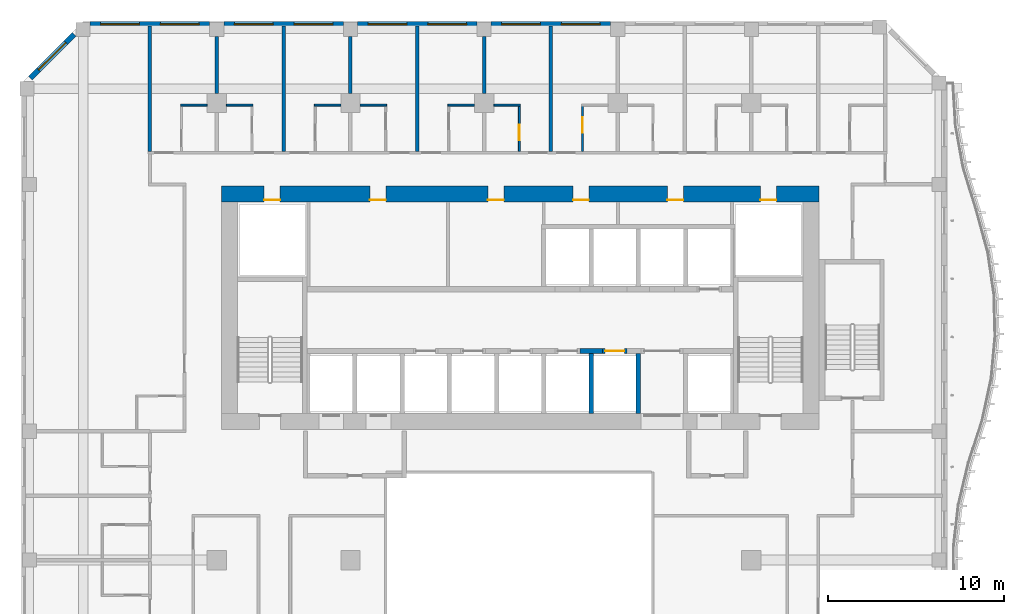
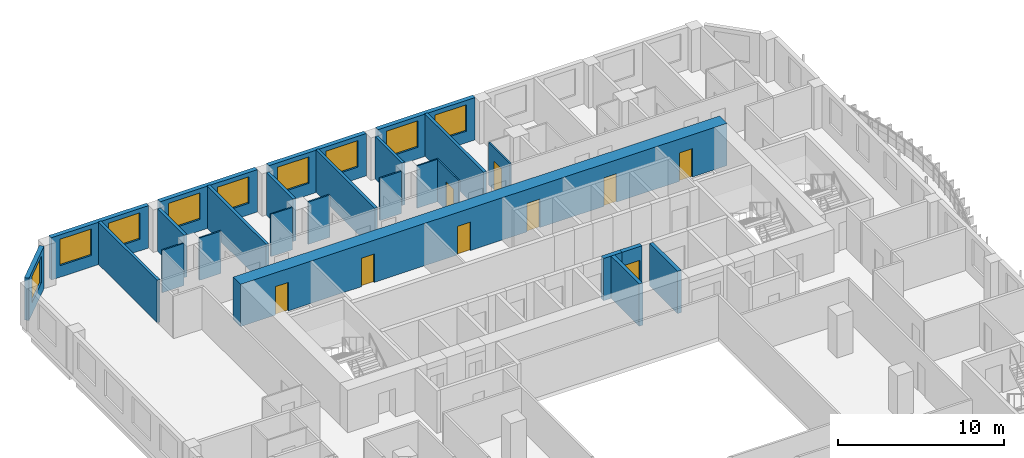
# One storey, part 8 of 21: 25 walls, 9 doors, 9 windows, 18 openings.
"""IFC4 building model written with IfcOpenShell, lengths in metres."""

import ifcopenshell
import ifcopenshell.guid

model = None  # the IFC model being written
_history = None  # IfcOwnerHistory: only IFC2X3 demands one
_inside = {}  # id of a spatial element -> (the spatial element, [elements in it])
_under = {}  # id of a project, library or spatial element -> (it, [spatial elements below it])
_declared = {}  # id of a project -> (the project, [libraries it declares])
_typed = {}  # id of a type object -> (the type object, [elements of that type])
_made_of = {}  # id of a material, layer set ... -> (it, [elements and type objects made of it])


def new_model(schema):
    """Start an empty IFC model of exactly this schema.

    Asked for "IFC4X3", IfcOpenShell would pick the latest addendum, in which some entities
    have other attributes; the version numbers below select the first issue.
    IFC2X3 requires an IfcOwnerHistory on every rooted entity: one is made here for all.
    """
    global model, _history
    if schema == "IFC4X3":
        model = ifcopenshell.file(schema_version=(4, 3, 0, 0))
    else:
        model = ifcopenshell.file(schema=schema)
    _inside.clear()
    _under.clear()
    _declared.clear()
    _typed.clear()
    _made_of.clear()
    _history = None
    if model.schema == "IFC2X3":
        org = make("IfcOrganization", Name="unknown")
        user = make(
            "IfcPersonAndOrganization",
            ThePerson=make("IfcPerson", FamilyName="unknown"),
            TheOrganization=org,
        )
        app = make(
            "IfcApplication",
            ApplicationDeveloper=org,
            Version="unknown",
            ApplicationFullName="unknown",
            ApplicationIdentifier="unknown",
        )
        _history = make(
            "IfcOwnerHistory",
            OwningUser=user,
            OwningApplication=app,
            ChangeAction="ADDED",
            CreationDate=0,
        )
    return model


def make(cls, **values):
    """One entity of the class cls with the attributes given. An attribute that is None is left unset."""
    return model.create_entity(
        cls, **{name: value for name, value in values.items() if value is not None}
    )


def rooted(cls, **values):
    """An entity with a GlobalId (a new one), such as an element, a storey or a relation."""
    return make(cls, GlobalId=ifcopenshell.guid.new(), OwnerHistory=_history, **values)


def si_unit(unit_type, name, prefix=None):
    """IfcSIUnit, for example si_unit("LENGTHUNIT", "METRE", prefix="MILLI")."""
    return make("IfcSIUnit", UnitType=unit_type, Prefix=prefix, Name=name)


def assignment(units):
    """IfcUnitAssignment: the units of a project."""
    return None if units is None else make("IfcUnitAssignment", Units=units)


def point(xyz):
    """IfcCartesianPoint."""
    return None if xyz is None else make("IfcCartesianPoint", Coordinates=xyz)


def direction(xyz):
    """IfcDirection."""
    return None if xyz is None else make("IfcDirection", DirectionRatios=xyz)


def frame(location, z_axis=None, x_axis=None):
    """IfcAxis2Placement3D, a coordinate frame: its origin and axes. An axis left out is left unset."""
    return make(
        "IfcAxis2Placement3D",
        Location=point(location),
        Axis=direction(z_axis),
        RefDirection=direction(x_axis),
    )


def frame_2d(location, x_axis=None):
    """IfcAxis2Placement2D, a coordinate frame in the plane: its origin and x axis."""
    return make(
        "IfcAxis2Placement2D", Location=point(location), RefDirection=direction(x_axis)
    )


def origin():
    """The frame at (0, 0, 0) with its axes left unset."""
    return frame((0.0, 0.0, 0.0))


def place(relative_to, where):
    """IfcLocalPlacement: puts the frame where relative to a parent placement (None: the world)."""
    return make(
        "IfcLocalPlacement", PlacementRelTo=relative_to, RelativePlacement=where
    )


def context(
    kind, dimensions, precision=None, world=None, true_north=None, identifier=None
):
    """IfcGeometricRepresentationContext, for example the 3D "Model" context."""
    return make(
        "IfcGeometricRepresentationContext",
        ContextIdentifier=identifier,
        ContextType=kind,
        CoordinateSpaceDimension=dimensions,
        Precision=precision,
        WorldCoordinateSystem=world,
        TrueNorth=true_north,
    )


def subcontext(parent, identifier, kind, view, scale=None):
    """IfcGeometricRepresentationSubContext, for example "Body" below "Model"."""
    return make(
        "IfcGeometricRepresentationSubContext",
        ContextIdentifier=identifier,
        ContextType=kind,
        ParentContext=parent,
        TargetScale=scale,
        TargetView=view,
    )


def project(units=None, contexts=None):
    """IfcProject with its units and contexts."""
    return rooted(
        "IfcProject",
        Name="project",
        RepresentationContexts=contexts,
        UnitsInContext=assignment(units),
    )


def spatial(cls, under=None, at=None, **own):
    """A site, building, storey or space (cls), placed at a placement, below another one or the project."""
    s = rooted(cls, ObjectPlacement=at, **own)
    if under is not None:
        _under.setdefault(under.id(), (under, []))[1].append(s)
    return s


def profile(cls, at=None, kind="AREA", **sizes):
    """A parametric profile (cls). Its sizes go by their IFC names, for example OverallWidth=200.0."""
    return make(cls, ProfileType=kind, Position=at, **sizes)


def rectangle(**sizes):
    """IfcRectangleProfileDef."""
    return profile("IfcRectangleProfileDef", **sizes)


def extrude(swept, where, along, depth):
    """IfcExtrudedAreaSolid: the profile swept, set in the frame where, extruded along a direction by depth."""
    return make(
        "IfcExtrudedAreaSolid",
        SweptArea=swept,
        Position=where,
        ExtrudedDirection=direction(along),
        Depth=depth,
    )


def shape(context_of_items, identifier, shape_type, items):
    """IfcShapeRepresentation: the items that make up one representation, for example the "Body"."""
    return make(
        "IfcShapeRepresentation",
        ContextOfItems=context_of_items,
        RepresentationIdentifier=identifier,
        RepresentationType=shape_type,
        Items=items,
    )


def source(mapping_origin, context_of_items, identifier, shape_type, items):
    """IfcRepresentationMap: a shape defined once, which mapped items show again and again."""
    return make(
        "IfcRepresentationMap",
        MappingOrigin=mapping_origin,
        MappedRepresentation=shape(context_of_items, identifier, shape_type, items),
    )


def transform(
    local_origin,
    x_axis=None,
    y_axis=None,
    z_axis=None,
    scale=None,
    scale2=None,
    scale3=None,
    uniform=True,
):
    """IfcCartesianTransformationOperator3D, or its non-uniform kind. x_axis, y_axis, z_axis: its Axis1, 2, 3."""
    if uniform:
        return make(
            "IfcCartesianTransformationOperator3D",
            Axis1=direction(x_axis),
            Axis2=direction(y_axis),
            LocalOrigin=point(local_origin),
            Scale=scale,
            Axis3=direction(z_axis),
        )
    return make(
        "IfcCartesianTransformationOperator3DnonUniform",
        Axis1=direction(x_axis),
        Axis2=direction(y_axis),
        LocalOrigin=point(local_origin),
        Scale=scale,
        Axis3=direction(z_axis),
        Scale2=scale2,
        Scale3=scale3,
    )


def mapped(mapping_source, mapping_target):
    """IfcMappedItem: shows the shape of a source again, moved by a transform."""
    return make(
        "IfcMappedItem", MappingSource=mapping_source, MappingTarget=mapping_target
    )


def material(Name=None, Category=None):
    """IfcMaterial."""
    return make("IfcMaterial", Name=Name, Category=Category)


def layer(
    of_material, thickness, ventilated=None, Name=None, Category=None, Priority=None
):
    """IfcMaterialLayer: one layer of a wall or slab, of a material (None: an air gap)."""
    return make(
        "IfcMaterialLayer",
        Material=of_material,
        LayerThickness=thickness,
        IsVentilated=ventilated,
        Name=Name,
        Category=Category,
        Priority=Priority,
    )


def layer_set(layers, Name=None):
    """IfcMaterialLayerSet."""
    return make("IfcMaterialLayerSet", MaterialLayers=layers, LayerSetName=Name)


def made_of(thing, what):
    """Note that an element or type object is made of a material, layer set ...; save() writes the relation."""
    if what is not None:
        _made_of.setdefault(what.id(), (what, []))[1].append(thing)
    return thing


def type_object(cls, material=None, **own):
    """A type object (cls), such as IfcWallType, which elements share."""
    return made_of(rooted(cls, **own), material)


def element(
    cls,
    number,
    at=None,
    inside=None,
    cuts=None,
    type_object=None,
    material=None,
    context=None,
    identifier="Body",
    shape_type=None,
    held_by="IfcProductDefinitionShape",
    body=None,
    shapes=None,
    **own,
):
    """One element of the class cls, such as IfcWall. Its Tag is "e" and its number.

    at: its placement. inside: the storey or other place that contains it. cuts: it is an
    opening in that element (IfcRelVoidsElement). A single representation is given by context,
    identifier, shape_type and body (its items); several are given by shapes. held_by: the class
    of the entity that holds the representations. save() writes the other relations.
    """
    e = rooted(cls, Tag="e%d" % number, ObjectPlacement=at, **own)
    if body is not None:
        shapes = [shape(context, identifier, shape_type, body)]
    if shapes is not None:
        e.Representation = make(held_by, Representations=shapes)
    if inside is not None:
        _inside.setdefault(inside.id(), (inside, []))[1].append(e)
    if cuts is not None:
        rooted(
            "IfcRelVoidsElement", RelatingBuildingElement=cuts, RelatedOpeningElement=e
        )
    if type_object is not None:
        _typed.setdefault(type_object.id(), (type_object, []))[1].append(e)
    return made_of(e, material)


def fill(opening, filler):
    """IfcRelFillsElement: the door or window that sits in an opening."""
    return rooted(
        "IfcRelFillsElement",
        RelatingOpeningElement=opening,
        RelatedBuildingElement=filler,
    )


def aggregate(whole, parts):
    """IfcRelAggregates: a whole, such as a stair, and the parts it consists of."""
    return rooted("IfcRelAggregates", RelatingObject=whole, RelatedObjects=parts)


def save(model, path):
    """Write the relations noted so far, then the file.

    IfcRelAggregates (storeys below a building ...), IfcRelContainedInSpatialStructure (elements
    in a storey), IfcRelDefinesByType, IfcRelAssociatesMaterial and IfcRelDeclares: one each for
    every whole, place, type object, material and project.
    """
    for whole, parts in _under.values():
        aggregate(whole, parts)
    for where, things in _inside.values():
        rooted(
            "IfcRelContainedInSpatialStructure",
            RelatedElements=things,
            RelatingStructure=where,
        )
    for kind, things in _typed.values():
        rooted("IfcRelDefinesByType", RelatedObjects=things, RelatingType=kind)
    for what, things in _made_of.values():
        rooted("IfcRelAssociatesMaterial", RelatedObjects=things, RelatingMaterial=what)
    for by, libraries in _declared.values():
        rooted("IfcRelDeclares", RelatingContext=by, RelatedDefinitions=libraries)
    model.write(path)


model = new_model("IFC4")

# Units and contexts
model_context = context("Model", 3, precision=1e-05, world=origin(), true_north=direction((0.0, 1.0)))
body_context = subcontext(model_context, "Body", "Model", "MODEL_VIEW")
ifc_project = project(units=[si_unit("LENGTHUNIT", "METRE"), si_unit("AREAUNIT", "SQUARE_METRE"), si_unit("VOLUMEUNIT", "CUBIC_METRE"), si_unit("PLANEANGLEUNIT", "RADIAN"), si_unit("MASSUNIT", "GRAM", prefix="KILO")], contexts=[model_context])

# Site, building, storey
site_placement = place(None, origin())
site = spatial("IfcSite", under=ifc_project, at=site_placement, CompositionType="ELEMENT")
building_placement = place(site_placement, origin())
building = spatial("IfcBuilding", under=site, at=building_placement, Name="Kilnfold Tower and Market Hall", CompositionType="ELEMENT")
storey_placement = place(building_placement, frame((0.0, 0.0, 147.300048828125)))
storey = spatial("IfcBuildingStorey", under=building, at=storey_placement, Name="L33", CompositionType="ELEMENT", Elevation=147.300048828125)

# Walls
ifc_material_1 = material(Name="Gypsum board on steel studs", Category="steel")
ifc_layer_1 = layer(ifc_material_1, 0.10009765625)
ifc_layer_set_1 = layer_set([ifc_layer_1], Name="Gypsum board on steel studs")
wall_type_1 = type_object("IfcWallType", Name="WALL PARTITION 100", PredefinedType="PARTITIONING", material=ifc_layer_set_1)
for number, where, z_axis, x_axis, name in (
    (1, (-18.217041015625, 26.501953125, 0.0), (0.0, 0.0, 1.0), (1.0, 0.0, 0.0), "Partition LY21.83"),
    (2, (-15.616943359375, 26.501953125, 0.0), (0.0, 0.0, 1.0), (1.0, 0.0, 0.0), "Partition LY21.87"),
    (3, (-10.633056640625, 26.501953125, 0.0), (0.0, 0.0, 1.0), (1.0, 0.0, 0.0), "Partition LY21.90"),
    (4, (-8.032958984375, 26.501953125, 0.0), (0.0, 0.0, 1.0), (1.0, 0.0, 0.0), "Partition LY21.94"),
    (5, (-3.050048828125, 26.501953125, 0.0), (0.0, 0.0, 1.0), (1.0, 0.0, 0.0), "Partition LY21.97"),
    (6, (-0.449951171875, 26.501953125, 0.0), (0.0, 0.0, 1.0), (1.0, 0.0, 0.0), "Partition LY21.101"),
):
    element("IfcWall", number, at=place(storey_placement, frame(where, z_axis=z_axis, x_axis=x_axis)), inside=storey, type_object=wall_type_1, Name=name, PredefinedType="PARTITIONING", context=body_context, shape_type="SweptSolid", body=[
        extrude(rectangle(XDim=1.5, YDim=0.10009765625, at=frame_2d((0.75, 0.0))), origin(), (0.0, 0.0, 1.0), 3.119873046875),
    ])

# Wall, opening, door
wall_1_placement = place(storey_placement, frame((1.0, 23.876953125, 0.0), z_axis=(0.0, 0.0, 1.0), x_axis=(0.0, 1.0, 0.0)))
wall_1 = element("IfcWall", 7, at=wall_1_placement, inside=storey, type_object=wall_type_1, Name="Partition LY21.102", PredefinedType="PARTITIONING", context=body_context, shape_type="SweptSolid", body=[
    extrude(rectangle(XDim=2.574951171875, YDim=0.10009765625, at=frame_2d((1.28759765625, 0.0))), origin(), (0.0, 0.0, 1.0), 3.119873046875),
])
opening_1_placement = place(wall_1_placement, frame((0.625, 0.0, 0.0)))
opening_1 = element("IfcOpeningElement", 8, at=opening_1_placement, cuts=wall_1, Name="Opening D3", PredefinedType="OPENING", context=body_context, shape_type="SweptSolid", body=[
    extrude(rectangle(XDim=0.89990234375, YDim=2.10009765625, at=frame_2d((0.449951171875, 1.050048828125))), frame((0.0, 0.06005859375, 0.0), z_axis=(0.0, -1.0, 0.0), x_axis=(1.0, 0.0, 0.0)), (0.0, 0.0, 1.0), 0.1201171875),
])
ifc_material_2 = material(Name="Timber veneer door leaf in steel frame", Category="steel")
door_type_1 = type_object("IfcDoorType", Name="DOOR WC 900 X2100", OperationType="NOTDEFINED", PredefinedType="DOOR", material=ifc_material_2)
door_1_placement = place(opening_1_placement, origin())
door_1 = element("IfcDoor", 9, at=door_1_placement, inside=storey, type_object=door_type_1, Name="Door D3", OperationType="SINGLE_SWING_LEFT", OverallHeight=2.10009765625, OverallWidth=0.89990234375, PredefinedType="DOOR", context=body_context, shape_type="SweptSolid", body=[
    extrude(rectangle(XDim=0.89990234375, YDim=2.10009765625, at=frame_2d((0.449951171875, 1.050048828125))), frame((0.0, 0.02490234375, 0.0), z_axis=(0.0, -1.0, 0.0), x_axis=(1.0, 0.0, 0.0)), (0.0, 0.0, 1.0), 0.050048828125),
])
fill(opening_1, door_1)

wall_2_placement = place(storey_placement, frame((4.5830078125, 23.876953125, 0.0), z_axis=(0.0, 0.0, 1.0), x_axis=(0.0, 1.0, 0.0)))
wall_2 = element("IfcWall", 10, at=wall_2_placement, inside=storey, type_object=wall_type_1, Name="Partition LY21.105", PredefinedType="PARTITIONING", context=body_context, shape_type="SweptSolid", body=[
    extrude(rectangle(XDim=2.574951171875, YDim=0.10009765625, at=frame_2d((1.28759765625, 0.0))), origin(), (0.0, 0.0, 1.0), 3.119873046875),
])
opening_2_placement = place(wall_2_placement, frame((1.050048828125, 0.0, 0.0)))
opening_2 = element("IfcOpeningElement", 11, at=opening_2_placement, cuts=wall_2, Name="Opening D3", PredefinedType="OPENING", context=body_context, shape_type="SweptSolid", body=[
    extrude(rectangle(XDim=0.89990234375, YDim=2.10009765625, at=frame_2d((0.449951171875, 1.050048828125))), frame((0.0, 0.06005859375, 0.0), z_axis=(0.0, -1.0, 0.0), x_axis=(1.0, 0.0, 0.0)), (0.0, 0.0, 1.0), 0.1201171875),
])
door_2_placement = place(opening_2_placement, origin())
door_2 = element("IfcDoor", 12, at=door_2_placement, inside=storey, type_object=door_type_1, Name="Door D3", OperationType="SINGLE_SWING_LEFT", OverallHeight=2.10009765625, OverallWidth=0.89990234375, PredefinedType="DOOR", context=body_context, shape_type="SweptSolid", body=[
    extrude(rectangle(XDim=0.89990234375, YDim=2.10009765625, at=frame_2d((0.449951171875, 1.050048828125))), frame((0.0, 0.02490234375, 0.0), z_axis=(0.0, -1.0, 0.0), x_axis=(1.0, 0.0, 0.0)), (0.0, 0.0, 1.0), 0.050048828125),
])
fill(opening_2, door_2)

# Walls
ifc_material_3 = material(Name="Gypsum board on steel studs", Category="steel")
ifc_layer_2 = layer(ifc_material_3, 0.199951171875)
ifc_layer_set_2 = layer_set([ifc_layer_2], Name="Gypsum board on steel studs")
wall_type_2 = type_object("IfcWallType", Name="WALL PARTY 200", PredefinedType="PARTITIONING", material=ifc_layer_set_2)
wall_3_placement = place(storey_placement, frame((-19.958984375, 23.876953125, 0.0), z_axis=(0.0, 0.0, 1.0), x_axis=(0.0, 1.0, 0.0)))
element("IfcWall", 13, at=wall_3_placement, inside=storey, type_object=wall_type_2, Name="Partition LY21.82", PredefinedType="PARTITIONING", context=body_context, shape_type="SweptSolid", body=[
    extrude(rectangle(XDim=7.123046875, YDim=0.199951171875, at=frame_2d((3.5615234375, 0.0))), origin(), (0.0, 0.0, 1.0), 3.119873046875),
])
wall_4_placement = place(storey_placement, frame((-16.1669921875, 27.175048828125, 0.0), z_axis=(0.0, 0.0, 1.0), x_axis=(0.0, 1.0, 0.0)))
element("IfcWall", 14, at=wall_4_placement, inside=storey, type_object=wall_type_2, Name="Partition LY21.85", PredefinedType="PARTITIONING", context=body_context, shape_type="SweptSolid", body=[
    extrude(rectangle(XDim=3.224853515625, YDim=0.199951171875, at=frame_2d((1.6123046875, 0.0))), origin(), (0.0, 0.0, 1.0), 3.119873046875),
])
wall_5_placement = place(storey_placement, frame((-12.375, 23.876953125, 0.0), z_axis=(0.0, 0.0, 1.0), x_axis=(0.0, 1.0, 0.0)))
element("IfcWall", 15, at=wall_5_placement, inside=storey, type_object=wall_type_2, Name="Partition LY21.89", PredefinedType="PARTITIONING", context=body_context, shape_type="SweptSolid", body=[
    extrude(rectangle(XDim=7.123046875, YDim=0.199951171875, at=frame_2d((3.5615234375, 0.0))), origin(), (0.0, 0.0, 1.0), 3.119873046875),
])
wall_6_placement = place(storey_placement, frame((-8.5830078125, 27.175048828125, 0.0), z_axis=(0.0, 0.0, 1.0), x_axis=(0.0, 1.0, 0.0)))
element("IfcWall", 16, at=wall_6_placement, inside=storey, type_object=wall_type_2, Name="Partition LY21.92", PredefinedType="PARTITIONING", context=body_context, shape_type="SweptSolid", body=[
    extrude(rectangle(XDim=3.224853515625, YDim=0.199951171875, at=frame_2d((1.6123046875, 0.0))), origin(), (0.0, 0.0, 1.0), 3.119873046875),
])
wall_7_placement = place(storey_placement, frame((-4.7919921875, 23.876953125, 0.0), z_axis=(0.0, 0.0, 1.0), x_axis=(0.0, 1.0, 0.0)))
element("IfcWall", 17, at=wall_7_placement, inside=storey, type_object=wall_type_2, Name="Partition LY21.96", PredefinedType="PARTITIONING", context=body_context, shape_type="SweptSolid", body=[
    extrude(rectangle(XDim=7.123046875, YDim=0.199951171875, at=frame_2d((3.5615234375, 0.0))), origin(), (0.0, 0.0, 1.0), 3.119873046875),
])
wall_8_placement = place(storey_placement, frame((-1.0, 27.175048828125, 0.0), z_axis=(0.0, 0.0, 1.0), x_axis=(0.0, 1.0, 0.0)))
element("IfcWall", 18, at=wall_8_placement, inside=storey, type_object=wall_type_2, Name="Partition LY21.99", PredefinedType="PARTITIONING", context=body_context, shape_type="SweptSolid", body=[
    extrude(rectangle(XDim=3.224853515625, YDim=0.199951171875, at=frame_2d((1.6123046875, 0.0))), origin(), (0.0, 0.0, 1.0), 3.119873046875),
])
wall_9_placement = place(storey_placement, frame((2.7919921875, 23.876953125, 0.0), z_axis=(0.0, 0.0, 1.0), x_axis=(0.0, 1.0, 0.0)))
element("IfcWall", 19, at=wall_9_placement, inside=storey, type_object=wall_type_2, Name="Partition LY21.103", PredefinedType="PARTITIONING", context=body_context, shape_type="SweptSolid", body=[
    extrude(rectangle(XDim=7.123046875, YDim=0.199951171875, at=frame_2d((3.5615234375, 0.0))), origin(), (0.0, 0.0, 1.0), 3.119873046875),
])

# Wall, openings, doors
ifc_material_4 = material(Name="Concrete C70", Category="concrete")
ifc_layer_3 = layer(ifc_material_4, 0.89990234375)
ifc_layer_set_3 = layer_set([ifc_layer_3], Name="Concrete C70")
wall_type_3 = type_object("IfcWallType", Name="CORE WALL 900 C70", PredefinedType="SHEAR", material=ifc_layer_set_3)
shared_shape_1 = source(origin(), body_context, "Body", "SweptSolid", [
    extrude(rectangle(XDim=33.89990234375, YDim=0.89990234375, at=frame_2d((16.949951171875, 0.0))), origin(), (0.0, 0.0, 1.0), 3.119873046875),
])
wall_10_placement = place(storey_placement, frame((-15.89990234375, 21.449951171875, 0.0), z_axis=(0.0, 0.0, 1.0), x_axis=(1.0, 0.0, 0.0)))
wall_10 = element("IfcWall", 20, at=wall_10_placement, inside=storey, type_object=wall_type_3, Name="Core outer wall north", PredefinedType="SHEAR", context=body_context, shape_type="MappedRepresentation", body=[
    mapped(shared_shape_1, transform((0.0, 0.0, 0.0))),
])
opening_3_placement = place(wall_10_placement, frame((8.419921875, 0.0, 0.0)))
opening_3 = element("IfcOpeningElement", 21, at=opening_3_placement, cuts=wall_10, Name="Opening KD1", PredefinedType="OPENING", context=body_context, shape_type="SweptSolid", body=[
    extrude(rectangle(XDim=0.89990234375, YDim=2.10009765625, at=frame_2d((0.449951171875, 1.050048828125))), frame((0.0, 0.4599609375, 0.0), z_axis=(0.0, -1.0, 0.0), x_axis=(1.0, 0.0, 0.0)), (0.0, 0.0, 1.0), 0.919921875),
])
opening_4_placement = place(wall_10_placement, frame((15.119873046875, 0.0, 0.0)))
opening_4 = element("IfcOpeningElement", 22, at=opening_4_placement, cuts=wall_10, Name="Opening KD1", PredefinedType="OPENING", context=body_context, shape_type="SweptSolid", body=[
    extrude(rectangle(XDim=0.89990234375, YDim=2.10009765625, at=frame_2d((0.449951171875, 1.050048828125))), frame((0.0, 0.4599609375, 0.0), z_axis=(0.0, -1.0, 0.0), x_axis=(1.0, 0.0, 0.0)), (0.0, 0.0, 1.0), 0.919921875),
])
opening_5_placement = place(wall_10_placement, frame((19.94384765625, 0.0, 0.0)))
opening_5 = element("IfcOpeningElement", 23, at=opening_5_placement, cuts=wall_10, Name="Opening KD1", PredefinedType="OPENING", context=body_context, shape_type="SweptSolid", body=[
    extrude(rectangle(XDim=0.89990234375, YDim=2.10009765625, at=frame_2d((0.449951171875, 1.050048828125))), frame((0.0, 0.4599609375, 0.0), z_axis=(0.0, -1.0, 0.0), x_axis=(1.0, 0.0, 0.0)), (0.0, 0.0, 1.0), 0.919921875),
])
opening_6_placement = place(wall_10_placement, frame((25.3037109375, 0.0, 0.0)))
opening_6 = element("IfcOpeningElement", 24, at=opening_6_placement, cuts=wall_10, Name="Opening KD1", PredefinedType="OPENING", context=body_context, shape_type="SweptSolid", body=[
    extrude(rectangle(XDim=0.89990234375, YDim=2.10009765625, at=frame_2d((0.449951171875, 1.050048828125))), frame((0.0, 0.4599609375, 0.0), z_axis=(0.0, -1.0, 0.0), x_axis=(1.0, 0.0, 0.0)), (0.0, 0.0, 1.0), 0.919921875),
])
opening_7_placement = place(wall_10_placement, frame((2.425048828125, 0.0, 0.0)))
opening_7 = element("IfcOpeningElement", 25, at=opening_7_placement, cuts=wall_10, Name="Opening KD1", PredefinedType="OPENING", context=body_context, shape_type="SweptSolid", body=[
    extrude(rectangle(XDim=0.89990234375, YDim=2.10009765625, at=frame_2d((0.449951171875, 1.050048828125))), frame((0.0, 0.4599609375, 0.0), z_axis=(0.0, -1.0, 0.0), x_axis=(1.0, 0.0, 0.0)), (0.0, 0.0, 1.0), 0.919921875),
])
opening_8_placement = place(wall_10_placement, frame((30.574951171875, 0.0, 0.0)))
opening_8 = element("IfcOpeningElement", 26, at=opening_8_placement, cuts=wall_10, Name="Opening KD1", PredefinedType="OPENING", context=body_context, shape_type="SweptSolid", body=[
    extrude(rectangle(XDim=0.89990234375, YDim=2.10009765625, at=frame_2d((0.449951171875, 1.050048828125))), frame((0.0, 0.4599609375, 0.0), z_axis=(0.0, -1.0, 0.0), x_axis=(1.0, 0.0, 0.0)), (0.0, 0.0, 1.0), 0.919921875),
])
ifc_material_5 = material(Name="Steel door set with fire-resisting leaf", Category="steel")
door_type_2 = type_object("IfcDoorType", Name="SERVICE DOOR 900X2100", OperationType="NOTDEFINED", PredefinedType="DOOR", material=ifc_material_5)
door_3_placement = place(opening_3_placement, origin())
door_3 = element("IfcDoor", 27, at=door_3_placement, inside=storey, type_object=door_type_2, Name="Core service door", OperationType="SINGLE_SWING_RIGHT", OverallHeight=2.10009765625, OverallWidth=0.89990234375, PredefinedType="DOOR", context=body_context, shape_type="SweptSolid", body=[
    extrude(rectangle(XDim=0.89990234375, YDim=2.10009765625, at=frame_2d((0.449951171875, 1.050048828125))), frame((0.0, -0.30517578125, 0.0), z_axis=(0.0, -1.0, 0.0), x_axis=(1.0, 0.0, 0.0)), (0.0, 0.0, 1.0), 0.050048828125),
])
fill(opening_3, door_3)
door_4_placement = place(opening_4_placement, origin())
door_4 = element("IfcDoor", 28, at=door_4_placement, inside=storey, type_object=door_type_2, Name="Core service door", OperationType="SINGLE_SWING_LEFT", OverallHeight=2.10009765625, OverallWidth=0.89990234375, PredefinedType="DOOR", context=body_context, shape_type="SweptSolid", body=[
    extrude(rectangle(XDim=0.89990234375, YDim=2.10009765625, at=frame_2d((0.449951171875, 1.050048828125))), frame((0.0, -0.30517578125, 0.0), z_axis=(0.0, -1.0, 0.0), x_axis=(1.0, 0.0, 0.0)), (0.0, 0.0, 1.0), 0.050048828125),
])
fill(opening_4, door_4)
door_5_placement = place(opening_5_placement, origin())
door_5 = element("IfcDoor", 29, at=door_5_placement, inside=storey, type_object=door_type_2, Name="Core service door", OperationType="SINGLE_SWING_RIGHT", OverallHeight=2.10009765625, OverallWidth=0.89990234375, PredefinedType="DOOR", context=body_context, shape_type="SweptSolid", body=[
    extrude(rectangle(XDim=0.89990234375, YDim=2.10009765625, at=frame_2d((0.449951171875, 1.050048828125))), frame((0.0, -0.30517578125, 0.0), z_axis=(0.0, -1.0, 0.0), x_axis=(1.0, 0.0, 0.0)), (0.0, 0.0, 1.0), 0.050048828125),
])
fill(opening_5, door_5)
door_6_placement = place(opening_6_placement, origin())
door_6 = element("IfcDoor", 30, at=door_6_placement, inside=storey, type_object=door_type_2, Name="Core service door", OperationType="SINGLE_SWING_LEFT", OverallHeight=2.10009765625, OverallWidth=0.89990234375, PredefinedType="DOOR", context=body_context, shape_type="SweptSolid", body=[
    extrude(rectangle(XDim=0.89990234375, YDim=2.10009765625, at=frame_2d((0.449951171875, 1.050048828125))), frame((0.0, -0.30517578125, 0.0), z_axis=(0.0, -1.0, 0.0), x_axis=(1.0, 0.0, 0.0)), (0.0, 0.0, 1.0), 0.050048828125),
])
fill(opening_6, door_6)
door_7_placement = place(opening_7_placement, origin())
door_7 = element("IfcDoor", 31, at=door_7_placement, inside=storey, type_object=door_type_2, Name="Electrical riser access door", OperationType="SINGLE_SWING_RIGHT", OverallHeight=2.10009765625, OverallWidth=0.89990234375, PredefinedType="DOOR", context=body_context, shape_type="SweptSolid", body=[
    extrude(rectangle(XDim=0.89990234375, YDim=2.10009765625, at=frame_2d((0.449951171875, 1.050048828125))), frame((0.0, -0.30517578125, 0.0), z_axis=(0.0, -1.0, 0.0), x_axis=(1.0, 0.0, 0.0)), (0.0, 0.0, 1.0), 0.050048828125),
])
fill(opening_7, door_7)
door_8_placement = place(opening_8_placement, origin())
door_8 = element("IfcDoor", 32, at=door_8_placement, inside=storey, type_object=door_type_2, Name="Mechanical riser access door", OperationType="SINGLE_SWING_LEFT", OverallHeight=2.10009765625, OverallWidth=0.89990234375, PredefinedType="DOOR", context=body_context, shape_type="SweptSolid", body=[
    extrude(rectangle(XDim=0.89990234375, YDim=2.10009765625, at=frame_2d((0.449951171875, 1.050048828125))), frame((0.0, -0.30517578125, 0.0), z_axis=(0.0, -1.0, 0.0), x_axis=(1.0, 0.0, 0.0)), (0.0, 0.0, 1.0), 0.050048828125),
])
fill(opening_8, door_8)

# Wall
ifc_material_6 = material(Name="Concrete C70", Category="concrete")
ifc_layer_4 = layer(ifc_material_6, 0.300048828125)
ifc_layer_set_4 = layer_set([ifc_layer_4], Name="Concrete C70")
wall_type_4 = type_object("IfcWallType", Name="CORE WALL 300 C70", PredefinedType="SHEAR", material=ifc_layer_set_4)
shared_shape_2 = source(origin(), body_context, "Body", "SweptSolid", [
    extrude(rectangle(XDim=1.280029296875, YDim=0.300048828125, at=frame_2d((0.64013671875, 0.0))), origin(), (0.0, 0.0, 1.0), 3.119873046875),
])
wall_11_placement = place(storey_placement, frame((4.429931640625, 12.550048828125, 0.0), z_axis=(0.0, 0.0, 1.0), x_axis=(1.0, 0.0, 0.0)))
element("IfcWall", 33, at=wall_11_placement, inside=storey, type_object=wall_type_4, Name="Core spine wall", PredefinedType="SHEAR", context=body_context, shape_type="MappedRepresentation", body=[
    mapped(shared_shape_2, transform((0.0, 0.0, 0.0))),
])

# Wall, openings, windows
ifc_material_7 = material(Name="Precast concrete C50/60", Category="concrete")
ifc_layer_5 = layer(ifc_material_7, 0.300048828125)
ifc_layer_set_5 = layer_set([ifc_layer_5], Name="Precast concrete C50/60")
wall_type_5 = type_object("IfcWallType", Name="PRECAST WALL 300", PredefinedType="SOLIDWALL", material=ifc_layer_set_5)
shared_shape_3 = source(origin(), body_context, "Body", "SweptSolid", [
    extrude(rectangle(XDim=6.783447265625, YDim=0.300048828125, at=frame_2d((3.3916015625, 0.0))), origin(), (0.0, 0.0, 1.0), 3.119873046875),
])
wall_12_placement = place(storey_placement, frame((6.183349609375, 31.10009765625, 0.0), z_axis=(0.0, 0.0, 1.0), x_axis=(-1.0, 0.0, 0.0)))
wall_12 = element("IfcWall", 34, at=wall_12_placement, inside=storey, type_object=wall_type_5, Name="External wall L33 N", PredefinedType="SOLIDWALL", context=body_context, shape_type="MappedRepresentation", body=[
    mapped(shared_shape_3, transform((0.0, 0.0, 0.0))),
])
opening_9_placement = place(wall_12_placement, frame((0.595703125, 0.0, 0.85009765625)))
opening_9 = element("IfcOpeningElement", 35, at=opening_9_placement, cuts=wall_12, Name="Opening W2", PredefinedType="OPENING", context=body_context, shape_type="SweptSolid", body=[
    extrude(rectangle(XDim=2.199951171875, YDim=1.949951171875, at=frame_2d((1.10009765625, 0.97509765625))), frame((0.0, 0.16015625, 0.0), z_axis=(0.0, -1.0, 0.0), x_axis=(1.0, 0.0, 0.0)), (0.0, 0.0, 1.0), 0.320068359375),
])
opening_10_placement = place(wall_12_placement, frame((3.987548828125, 0.0, 0.85009765625)))
opening_10 = element("IfcOpeningElement", 36, at=opening_10_placement, cuts=wall_12, Name="Opening W2", PredefinedType="OPENING", context=body_context, shape_type="SweptSolid", body=[
    extrude(rectangle(XDim=2.199951171875, YDim=1.949951171875, at=frame_2d((1.10009765625, 0.97509765625))), frame((0.0, 0.16015625, 0.0), z_axis=(0.0, -1.0, 0.0), x_axis=(1.0, 0.0, 0.0)), (0.0, 0.0, 1.0), 0.320068359375),
])
ifc_material_8 = material(Name="Aluminium frame and double glazing", Category="aluminium")
window_type = type_object("IfcWindowType", Name="WINDOW W2 2200X1950", PartitioningType="SINGLE_PANEL", PredefinedType="WINDOW", material=ifc_material_8)
window_1_placement = place(opening_9_placement, origin())
window_1 = element("IfcWindow", 37, at=window_1_placement, inside=storey, type_object=window_type, Name="Window W2 L33 N-1", OverallHeight=1.949951171875, OverallWidth=2.199951171875, PartitioningType="SINGLE_PANEL", PredefinedType="WINDOW", context=body_context, shape_type="SweptSolid", body=[
    extrude(rectangle(XDim=2.199951171875, YDim=1.949951171875, at=frame_2d((1.10009765625, 0.97509765625))), frame((0.0, 0.030029296875, 0.0), z_axis=(0.0, -1.0, 0.0), x_axis=(1.0, 0.0, 0.0)), (0.0, 0.0, 1.0), 0.06005859375),
])
fill(opening_9, window_1)
window_2_placement = place(opening_10_placement, origin())
window_2 = element("IfcWindow", 38, at=window_2_placement, inside=storey, type_object=window_type, Name="Window W2 L33 N-2", OverallHeight=1.949951171875, OverallWidth=2.199951171875, PartitioningType="SINGLE_PANEL", PredefinedType="WINDOW", context=body_context, shape_type="SweptSolid", body=[
    extrude(rectangle(XDim=2.199951171875, YDim=1.949951171875, at=frame_2d((1.10009765625, 0.97509765625))), frame((0.0, 0.030029296875, 0.0), z_axis=(0.0, -1.0, 0.0), x_axis=(1.0, 0.0, 0.0)), (0.0, 0.0, 1.0), 0.06005859375),
])
fill(opening_10, window_2)

wall_13_placement = place(storey_placement, frame((-1.39990234375, 31.10009765625, 0.0), z_axis=(0.0, 0.0, 1.0), x_axis=(-1.0, 0.0, 0.0)))
wall_13 = element("IfcWall", 39, at=wall_13_placement, inside=storey, type_object=wall_type_5, Name="External wall L33 N", PredefinedType="SOLIDWALL", context=body_context, shape_type="MappedRepresentation", body=[
    mapped(shared_shape_3, transform((0.0, 0.0, 0.0))),
])
opening_11_placement = place(wall_13_placement, frame((0.595703125, 0.0, 0.85009765625)))
opening_11 = element("IfcOpeningElement", 40, at=opening_11_placement, cuts=wall_13, Name="Opening W2", PredefinedType="OPENING", context=body_context, shape_type="SweptSolid", body=[
    extrude(rectangle(XDim=2.199951171875, YDim=1.949951171875, at=frame_2d((1.10009765625, 0.97509765625))), frame((0.0, 0.16015625, 0.0), z_axis=(0.0, -1.0, 0.0), x_axis=(1.0, 0.0, 0.0)), (0.0, 0.0, 1.0), 0.320068359375),
])
opening_12_placement = place(wall_13_placement, frame((3.987548828125, 0.0, 0.85009765625)))
opening_12 = element("IfcOpeningElement", 41, at=opening_12_placement, cuts=wall_13, Name="Opening W2", PredefinedType="OPENING", context=body_context, shape_type="SweptSolid", body=[
    extrude(rectangle(XDim=2.199951171875, YDim=1.949951171875, at=frame_2d((1.10009765625, 0.97509765625))), frame((0.0, 0.16015625, 0.0), z_axis=(0.0, -1.0, 0.0), x_axis=(1.0, 0.0, 0.0)), (0.0, 0.0, 1.0), 0.320068359375),
])
window_3_placement = place(opening_11_placement, origin())
window_3 = element("IfcWindow", 42, at=window_3_placement, inside=storey, type_object=window_type, Name="Window W2 L33 N-1", OverallHeight=1.949951171875, OverallWidth=2.199951171875, PartitioningType="SINGLE_PANEL", PredefinedType="WINDOW", context=body_context, shape_type="SweptSolid", body=[
    extrude(rectangle(XDim=2.199951171875, YDim=1.949951171875, at=frame_2d((1.10009765625, 0.97509765625))), frame((0.0, 0.030029296875, 0.0), z_axis=(0.0, -1.0, 0.0), x_axis=(1.0, 0.0, 0.0)), (0.0, 0.0, 1.0), 0.06005859375),
])
fill(opening_11, window_3)
window_4_placement = place(opening_12_placement, origin())
window_4 = element("IfcWindow", 43, at=window_4_placement, inside=storey, type_object=window_type, Name="Window W2 L33 N-2", OverallHeight=1.949951171875, OverallWidth=2.199951171875, PartitioningType="SINGLE_PANEL", PredefinedType="WINDOW", context=body_context, shape_type="SweptSolid", body=[
    extrude(rectangle(XDim=2.199951171875, YDim=1.949951171875, at=frame_2d((1.10009765625, 0.97509765625))), frame((0.0, 0.030029296875, 0.0), z_axis=(0.0, -1.0, 0.0), x_axis=(1.0, 0.0, 0.0)), (0.0, 0.0, 1.0), 0.06005859375),
])
fill(opening_12, window_4)

wall_14_placement = place(storey_placement, frame((-16.566650390625, 31.10009765625, 0.0), z_axis=(0.0, 0.0, 1.0), x_axis=(-1.0, 0.0, 0.0)))
wall_14 = element("IfcWall", 44, at=wall_14_placement, inside=storey, type_object=wall_type_5, Name="External wall L33 N", PredefinedType="SOLIDWALL", context=body_context, shape_type="MappedRepresentation", body=[
    mapped(shared_shape_3, transform((0.0, 0.0, 0.0))),
])
opening_13_placement = place(wall_14_placement, frame((0.595703125, 0.0, 0.85009765625)))
opening_13 = element("IfcOpeningElement", 45, at=opening_13_placement, cuts=wall_14, Name="Opening W2", PredefinedType="OPENING", context=body_context, shape_type="SweptSolid", body=[
    extrude(rectangle(XDim=2.199951171875, YDim=1.949951171875, at=frame_2d((1.10009765625, 0.97509765625))), frame((0.0, 0.16015625, 0.0), z_axis=(0.0, -1.0, 0.0), x_axis=(1.0, 0.0, 0.0)), (0.0, 0.0, 1.0), 0.320068359375),
])
opening_14_placement = place(wall_14_placement, frame((3.987548828125, 0.0, 0.85009765625)))
opening_14 = element("IfcOpeningElement", 46, at=opening_14_placement, cuts=wall_14, Name="Opening W2", PredefinedType="OPENING", context=body_context, shape_type="SweptSolid", body=[
    extrude(rectangle(XDim=2.199951171875, YDim=1.949951171875, at=frame_2d((1.10009765625, 0.97509765625))), frame((0.0, 0.16015625, 0.0), z_axis=(0.0, -1.0, 0.0), x_axis=(1.0, 0.0, 0.0)), (0.0, 0.0, 1.0), 0.320068359375),
])
window_5_placement = place(opening_13_placement, origin())
window_5 = element("IfcWindow", 47, at=window_5_placement, inside=storey, type_object=window_type, Name="Window W2 L33 N-1", OverallHeight=1.949951171875, OverallWidth=2.199951171875, PartitioningType="SINGLE_PANEL", PredefinedType="WINDOW", context=body_context, shape_type="SweptSolid", body=[
    extrude(rectangle(XDim=2.199951171875, YDim=1.949951171875, at=frame_2d((1.10009765625, 0.97509765625))), frame((0.0, 0.030029296875, 0.0), z_axis=(0.0, -1.0, 0.0), x_axis=(1.0, 0.0, 0.0)), (0.0, 0.0, 1.0), 0.06005859375),
])
fill(opening_13, window_5)
window_6_placement = place(opening_14_placement, origin())
window_6 = element("IfcWindow", 48, at=window_6_placement, inside=storey, type_object=window_type, Name="Window W2 L33 N-2", OverallHeight=1.949951171875, OverallWidth=2.199951171875, PartitioningType="SINGLE_PANEL", PredefinedType="WINDOW", context=body_context, shape_type="SweptSolid", body=[
    extrude(rectangle(XDim=2.199951171875, YDim=1.949951171875, at=frame_2d((1.10009765625, 0.97509765625))), frame((0.0, 0.030029296875, 0.0), z_axis=(0.0, -1.0, 0.0), x_axis=(1.0, 0.0, 0.0)), (0.0, 0.0, 1.0), 0.06005859375),
])
fill(opening_14, window_6)

shared_shape_4 = source(origin(), body_context, "Body", "SweptSolid", [
    extrude(rectangle(XDim=6.783203125, YDim=0.300048828125, at=frame_2d((3.3916015625, 0.0))), origin(), (0.0, 0.0, 1.0), 3.119873046875),
])
wall_15_placement = place(storey_placement, frame((-8.9833984375, 31.10009765625, 0.0), z_axis=(0.0, 0.0, 1.0), x_axis=(-1.0, 0.0, 0.0)))
wall_15 = element("IfcWall", 49, at=wall_15_placement, inside=storey, type_object=wall_type_5, Name="External wall L33 N", PredefinedType="SOLIDWALL", context=body_context, shape_type="MappedRepresentation", body=[
    mapped(shared_shape_4, transform((0.0, 0.0, 0.0))),
])
opening_15_placement = place(wall_15_placement, frame((0.595703125, 0.0, 0.85009765625)))
opening_15 = element("IfcOpeningElement", 50, at=opening_15_placement, cuts=wall_15, Name="Opening W2", PredefinedType="OPENING", context=body_context, shape_type="SweptSolid", body=[
    extrude(rectangle(XDim=2.199951171875, YDim=1.949951171875, at=frame_2d((1.10009765625, 0.97509765625))), frame((0.0, 0.16015625, 0.0), z_axis=(0.0, -1.0, 0.0), x_axis=(1.0, 0.0, 0.0)), (0.0, 0.0, 1.0), 0.320068359375),
])
opening_16_placement = place(wall_15_placement, frame((3.987548828125, 0.0, 0.85009765625)))
opening_16 = element("IfcOpeningElement", 51, at=opening_16_placement, cuts=wall_15, Name="Opening W2", PredefinedType="OPENING", context=body_context, shape_type="SweptSolid", body=[
    extrude(rectangle(XDim=2.199951171875, YDim=1.949951171875, at=frame_2d((1.10009765625, 0.97509765625))), frame((0.0, 0.16015625, 0.0), z_axis=(0.0, -1.0, 0.0), x_axis=(1.0, 0.0, 0.0)), (0.0, 0.0, 1.0), 0.320068359375),
])
window_7_placement = place(opening_15_placement, origin())
window_7 = element("IfcWindow", 52, at=window_7_placement, inside=storey, type_object=window_type, Name="Window W2 L33 N-1", OverallHeight=1.949951171875, OverallWidth=2.199951171875, PartitioningType="SINGLE_PANEL", PredefinedType="WINDOW", context=body_context, shape_type="SweptSolid", body=[
    extrude(rectangle(XDim=2.199951171875, YDim=1.949951171875, at=frame_2d((1.10009765625, 0.97509765625))), frame((0.0, 0.030029296875, 0.0), z_axis=(0.0, -1.0, 0.0), x_axis=(1.0, 0.0, 0.0)), (0.0, 0.0, 1.0), 0.06005859375),
])
fill(opening_15, window_7)
window_8_placement = place(opening_16_placement, origin())
window_8 = element("IfcWindow", 53, at=window_8_placement, inside=storey, type_object=window_type, Name="Window W2 L33 N-2", OverallHeight=1.949951171875, OverallWidth=2.199951171875, PartitioningType="SINGLE_PANEL", PredefinedType="WINDOW", context=body_context, shape_type="SweptSolid", body=[
    extrude(rectangle(XDim=2.199951171875, YDim=1.949951171875, at=frame_2d((1.10009765625, 0.97509765625))), frame((0.0, 0.030029296875, 0.0), z_axis=(0.0, -1.0, 0.0), x_axis=(1.0, 0.0, 0.0)), (0.0, 0.0, 1.0), 0.06005859375),
])
fill(opening_16, window_8)

# Wall, opening, window
shared_shape_5 = source(origin(), body_context, "Body", "SweptSolid", [
    extrude(rectangle(XDim=3.500244140625, YDim=0.300048828125, at=frame_2d((1.75, 0.0))), origin(), (0.0, 0.0, 1.0), 3.119873046875),
])
wall_16_placement = place(storey_placement, frame((-24.268798828125, 30.518798828125, 0.0), z_axis=(0.0, 0.0, 1.0), x_axis=(-0.707141656123, -0.70707190453, 0.0)))
wall_16 = element("IfcWall", 54, at=wall_16_placement, inside=storey, type_object=wall_type_5, Name="External wall L33 NW", PredefinedType="SOLIDWALL", context=body_context, shape_type="MappedRepresentation", body=[
    mapped(shared_shape_5, transform((0.0, 0.0, 0.0))),
])
opening_17_placement = place(wall_16_placement, frame((0.650146484375, 0.0, 0.85009765625)))
opening_17 = element("IfcOpeningElement", 55, at=opening_17_placement, cuts=wall_16, Name="Opening W2", PredefinedType="OPENING", context=body_context, shape_type="SweptSolid", body=[
    extrude(rectangle(XDim=2.199951171875, YDim=1.949951171875, at=frame_2d((1.10009765625, 0.97509765625))), frame((0.0, 0.16015625, 0.0), z_axis=(0.0, -1.0, 0.0), x_axis=(1.0, 0.0, 0.0)), (0.0, 0.0, 1.0), 0.320068359375),
])
window_9_placement = place(opening_17_placement, origin())
window_9 = element("IfcWindow", 56, at=window_9_placement, inside=storey, type_object=window_type, Name="Window W2 L33 NW-1", OverallHeight=1.949951171875, OverallWidth=2.199951171875, PartitioningType="SINGLE_PANEL", PredefinedType="WINDOW", context=body_context, shape_type="SweptSolid", body=[
    extrude(rectangle(XDim=2.199951171875, YDim=1.949951171875, at=frame_2d((1.10009765625, 0.97509765625))), frame((0.0, 0.030029296875, 0.0), z_axis=(0.0, -1.0, 0.0), x_axis=(1.0, 0.0, 0.0)), (0.0, 0.0, 1.0), 0.06005859375),
])
fill(opening_17, window_9)

# Wall, opening, door
ifc_material_9 = material(Name="Gypsum shaft wall system")
ifc_layer_6 = layer(ifc_material_9, 0.300048828125)
ifc_layer_set_6 = layer_set([ifc_layer_6], Name="Gypsum shaft wall system")
wall_type_6 = type_object("IfcWallType", Name="SHAFT WALL 300", PredefinedType="PARTITIONING", material=ifc_layer_set_6)
shared_shape_6 = source(origin(), body_context, "Body", "SweptSolid", [
    extrude(rectangle(XDim=1.400146484375, YDim=0.300048828125, at=frame_2d((0.7001953125, 0.0))), origin(), (0.0, 0.0, 1.0), 3.119873046875),
])
wall_17_placement = place(storey_placement, frame((5.7099609375, 12.550048828125, 0.0), z_axis=(0.0, 0.0, 1.0), x_axis=(1.0, 0.0, 0.0)))
wall_17 = element("IfcWall", 57, at=wall_17_placement, inside=storey, type_object=wall_type_6, Name="Lift shaft front wall", PredefinedType="PARTITIONING", context=body_context, shape_type="MappedRepresentation", body=[
    mapped(shared_shape_6, transform((0.0, 0.0, 0.0))),
])
opening_18_placement = place(wall_17_placement, frame((0.14990234375, 0.0, 0.0)))
opening_18 = element("IfcOpeningElement", 58, at=opening_18_placement, cuts=wall_17, Name="Opening LD2", PredefinedType="OPENING", context=body_context, shape_type="SweptSolid", body=[
    extrude(rectangle(XDim=1.10009765625, YDim=2.10009765625, at=frame_2d((0.550048828125, 1.050048828125))), frame((0.0, 0.16015625, 0.0), z_axis=(0.0, -1.0, 0.0), x_axis=(1.0, 0.0, 0.0)), (0.0, 0.0, 1.0), 0.320068359375),
])
ifc_material_10 = material(Name="Steel door set with fire-resisting leaf", Category="steel")
door_type_3 = type_object("IfcDoorType", Name="LANDING DOOR 1100X2100", OperationType="NOTDEFINED", PredefinedType="DOOR", material=ifc_material_10)
door_9_placement = place(opening_18_placement, origin())
door_9 = element("IfcDoor", 59, at=door_9_placement, inside=storey, type_object=door_type_3, Name="Landing door MR5", OperationType="DOUBLE_DOOR_SLIDING", OverallHeight=2.10009765625, OverallWidth=1.10009765625, PredefinedType="DOOR", context=body_context, shape_type="SweptSolid", body=[
    extrude(rectangle(XDim=1.10009765625, YDim=2.10009765625, at=frame_2d((0.550048828125, 1.050048828125))), frame((0.0, 0.02490234375, 0.0), z_axis=(0.0, -1.0, 0.0), x_axis=(1.0, 0.0, 0.0)), (0.0, 0.0, 1.0), 0.050048828125),
])
fill(opening_18, door_9)

# Walls
ifc_material_11 = material(Name="Gypsum shaft wall system")
ifc_layer_7 = layer(ifc_material_11, 0.25)
ifc_layer_set_7 = layer_set([ifc_layer_7], Name="Gypsum shaft wall system")
wall_type_7 = type_object("IfcWallType", Name="SHAFT WALL 250", PredefinedType="PARTITIONING", material=ifc_layer_set_7)
shared_shape_7 = source(origin(), body_context, "Body", "SweptSolid", [
    extrude(rectangle(XDim=3.39990234375, YDim=0.25, at=frame_2d((1.699951171875, 0.0))), origin(), (0.0, 0.0, 1.0), 3.119873046875),
])
for number, where, z_axis, x_axis, name in (
    (60, (5.070068359375, 9.0, 0.0), (0.0, 0.0, 1.0), (0.0, 1.0, 0.0), "Lift shaft wall"),
    (61, (7.75, 9.0, 0.0), (0.0, 0.0, 1.0), (0.0, 1.0, 0.0), "Lift shaft wall"),
):
    element("IfcWall", number, at=place(storey_placement, frame(where, z_axis=z_axis, x_axis=x_axis)), inside=storey, type_object=wall_type_7, Name=name, PredefinedType="PARTITIONING", context=body_context, shape_type="MappedRepresentation", body=[
        mapped(shared_shape_7, transform((0.0, 0.0, 0.0))),
    ])

save(model, "model.ifc")
